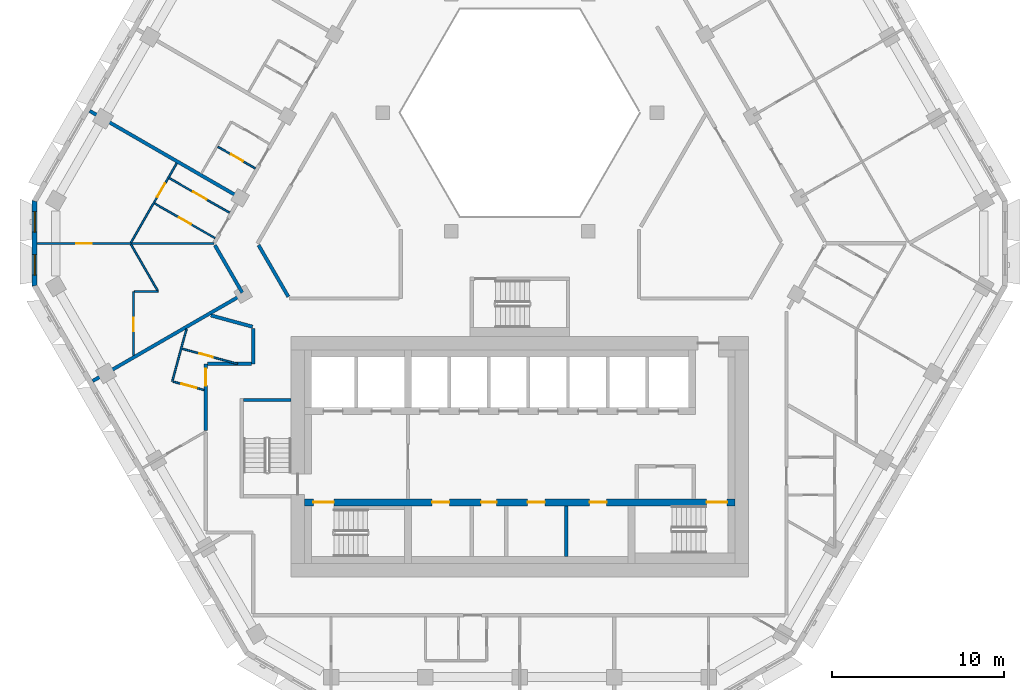
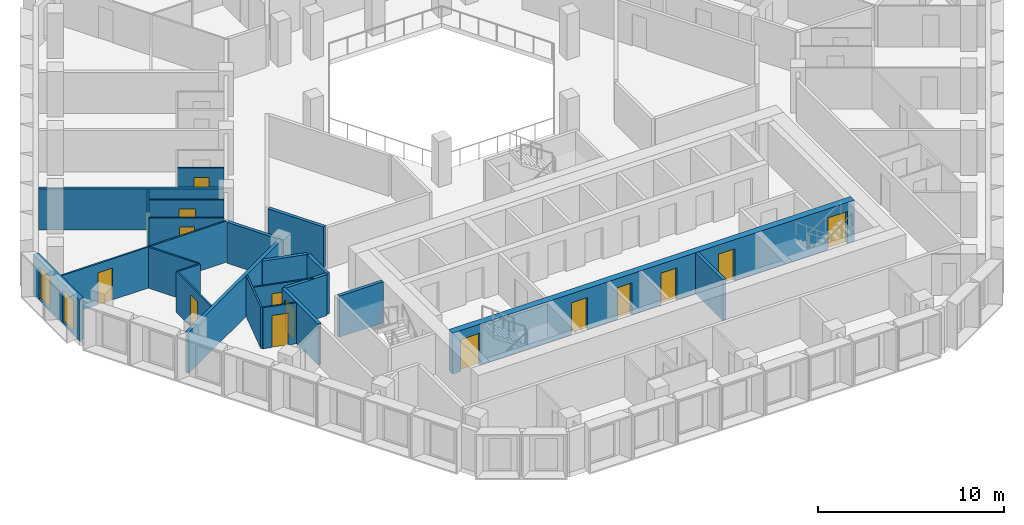
# One storey, part 4 of 17: 23 walls, 15 doors, 2 windows, 17 openings.
"""IFC4 building model written with IfcOpenShell, lengths in metres."""

from ifc_helpers import new_model, si_unit, direction, frame, frame_2d, origin, place, context, subcontext, project, spatial, polyline, rectangle, outline, extrude, material, layer, layer_set, type_object, element, fill, save


model = new_model("IFC4")

# Units and contexts
model_context = context("Model", 3, precision=1e-05, world=origin(), true_north=direction((0.0, 1.0)))
body_context = subcontext(model_context, "Body", "Model", "MODEL_VIEW")
ifc_project = project(units=[si_unit("LENGTHUNIT", "METRE"), si_unit("AREAUNIT", "SQUARE_METRE"), si_unit("VOLUMEUNIT", "CUBIC_METRE"), si_unit("PLANEANGLEUNIT", "RADIAN"), si_unit("MASSUNIT", "GRAM", prefix="KILO")], contexts=[model_context])

# Site, building, storey
site_placement = place(None, origin())
site = spatial("IfcSite", under=ifc_project, at=site_placement, CompositionType="ELEMENT")
building_placement = place(site_placement, origin())
building = spatial("IfcBuilding", under=site, at=building_placement, Name="Beryl Residences", CompositionType="ELEMENT")
storey_placement = place(building_placement, frame((0.0, 0.0, 126.60009765625)))
storey = spatial("IfcBuildingStorey", under=building, at=storey_placement, Name="L38", CompositionType="ELEMENT", Elevation=126.60009765625)

# Wall, openings, windows
ifc_material_1 = material(Name="Composite metal panel with mineral wool insulation")
ifc_layer_1 = layer(ifc_material_1, 0.300048828125)
ifc_layer_set_1 = layer_set([ifc_layer_1], Name="ES1 pale metal composite panel wall 300 mm")
wall_type_1 = type_object("IfcWallType", Name="ES1 pale metal composite panel wall 300 mm", PredefinedType="SOLIDWALL", material=ifc_layer_set_1)
wall_1_placement = place(storey_placement, frame((-28.197998046875, 2.89990234375, 0.0), z_axis=(0.0, 0.0, 1.0), x_axis=(0.0, -1.0, 0.0)))
wall_1 = element("IfcWall", 1, at=wall_1_placement, inside=storey, type_object=wall_type_1, Name="ES1 external wall L38 NW-SW", PredefinedType="SOLIDWALL", context=body_context, shape_type="SweptSolid", body=[
    extrude(outline(polyline([(0.0, -0.14990234375), (5.0, -0.14990234375), (4.919677734375, 0.14990234375), (0.080322265625, 0.14990234375), (0.0, -0.14990234375)])), origin(), (0.0, 0.0, 1.0), 2.699951171875),
])
opening_1_placement = place(wall_1_placement, frame((0.64990234375, 0.0, 0.14990234375)))
opening_1 = element("IfcOpeningElement", 2, at=opening_1_placement, cuts=wall_1, Name="Opening W2", PredefinedType="OPENING", context=body_context, shape_type="SweptSolid", body=[
    extrude(rectangle(XDim=1.199951171875, YDim=2.10009765625, at=frame_2d((0.60009765625, 1.050048828125))), frame((0.0, 0.159912109375, 0.0), z_axis=(0.0, -1.0, 0.0), x_axis=(1.0, 0.0, 0.0)), (0.0, 0.0, 1.0), 0.320068359375),
])
opening_2_placement = place(wall_1_placement, frame((3.14990234375, 0.0, 0.14990234375)))
opening_2 = element("IfcOpeningElement", 3, at=opening_2_placement, cuts=wall_1, Name="Opening W2", PredefinedType="OPENING", context=body_context, shape_type="SweptSolid", body=[
    extrude(rectangle(XDim=1.199951171875, YDim=2.10009765625, at=frame_2d((0.60009765625, 1.050048828125))), frame((0.0, 0.159912109375, 0.0), z_axis=(0.0, -1.0, 0.0), x_axis=(1.0, 0.0, 0.0)), (0.0, 0.0, 1.0), 0.320068359375),
])
ifc_material_2 = material(Name="Aluminium and clear glass", Category="aluminium")
window_type = type_object("IfcWindowType", Name="W2 chamfer window 1200 x 2100 mm", PartitioningType="SINGLE_PANEL", PredefinedType="WINDOW", material=ifc_material_2)
window_1_placement = place(opening_1_placement, origin())
window_1 = element("IfcWindow", 4, at=window_1_placement, inside=storey, type_object=window_type, Name="W2 window L38 NW-SW 1", OverallHeight=2.10009765625, OverallWidth=1.199951171875, PartitioningType="SINGLE_PANEL", PredefinedType="WINDOW", context=body_context, shape_type="SweptSolid", body=[
    extrude(rectangle(XDim=1.199951171875, YDim=2.10009765625, at=frame_2d((0.60009765625, 1.050048828125))), frame((0.0, 0.030029296875, 0.0), z_axis=(0.0, -1.0, 0.0), x_axis=(1.0, 0.0, 0.0)), (0.0, 0.0, 1.0), 0.06005859375),
])
fill(opening_1, window_1)
window_2_placement = place(opening_2_placement, origin())
window_2 = element("IfcWindow", 5, at=window_2_placement, inside=storey, type_object=window_type, Name="W2 window L38 NW-SW 2", OverallHeight=2.10009765625, OverallWidth=1.199951171875, PartitioningType="SINGLE_PANEL", PredefinedType="WINDOW", context=body_context, shape_type="SweptSolid", body=[
    extrude(rectangle(XDim=1.199951171875, YDim=2.10009765625, at=frame_2d((0.60009765625, 1.050048828125))), frame((0.0, 0.030029296875, 0.0), z_axis=(0.0, -1.0, 0.0), x_axis=(1.0, 0.0, 0.0)), (0.0, 0.0, 1.0), 0.06005859375),
])
fill(opening_2, window_2)

# Wall
ifc_material_3 = material(Name="Gypsum board partition on steel studs", Category="steel")
ifc_layer_2 = layer(ifc_material_3, 0.10009765625)
ifc_layer_set_2 = layer_set([ifc_layer_2], Name="PT1 partition 100 mm gypsum board on steel studs")
wall_type_2 = type_object("IfcWallType", Name="PT1 partition 100 mm gypsum board on steel studs", PredefinedType="PARTITIONING", material=ifc_layer_set_2)
wall_2_placement = place(storey_placement, frame((-22.60302734375, 0.34912109375, 0.0), z_axis=(0.0, 0.0, 1.0), x_axis=(0.499930403552, -0.866065581584, 0.0)))
element("IfcWall", 6, at=wall_2_placement, inside=storey, type_object=wall_type_2, Name="Wall PT1 L38 002", PredefinedType="PARTITIONING", context=body_context, shape_type="SweptSolid", body=[
    extrude(rectangle(XDim=3.11669921875, YDim=0.10009765625, at=frame_2d((1.558349609375, 0.0))), origin(), (0.0, 0.0, 1.0), 2.699951171875),
])

# Wall, opening, door
wall_3_placement = place(storey_placement, frame((-19.631103515625, -5.720947265625, 0.0), z_axis=(0.0, 0.0, 1.0), x_axis=(0.964816035809, -0.262925877475, 0.0)))
wall_3 = element("IfcWall", 7, at=wall_3_placement, inside=storey, type_object=wall_type_2, Name="Wall PT1 L38 008", PredefinedType="PARTITIONING", context=body_context, shape_type="SweptSolid", body=[
    extrude(rectangle(XDim=3.34375, YDim=0.10009765625, at=frame_2d((1.671875, 0.0))), origin(), (0.0, 0.0, 1.0), 2.699951171875),
])
opening_3_placement = place(wall_3_placement, frame((1.047119140625, 0.0, 0.0)))
opening_3 = element("IfcOpeningElement", 8, at=opening_3_placement, cuts=wall_3, Name="Opening D1028", PredefinedType="OPENING", context=body_context, shape_type="SweptSolid", body=[
    extrude(rectangle(XDim=0.800048828125, YDim=2.10009765625, at=frame_2d((0.39990234375, 1.050048828125))), frame((0.0, 0.06005859375, 0.0), z_axis=(0.0, -1.0, 0.0), x_axis=(1.0, 0.0, 0.0)), (0.0, 0.0, 1.0), 0.1201171875),
])
ifc_material_4 = material(Name="Timber door leaf", Category="wood")
door_type_1 = type_object("IfcDoorType", Name="D3 bathroom door 800 x 2100 mm", OperationType="SINGLE_SWING_LEFT", PredefinedType="DOOR", material=ifc_material_4)
door_1_placement = place(opening_3_placement, origin())
door_1 = element("IfcDoor", 9, at=door_1_placement, inside=storey, type_object=door_type_1, Name="Door D1028 L38 001", OperationType="SINGLE_SWING_RIGHT", OverallHeight=2.10009765625, OverallWidth=0.800048828125, PredefinedType="DOOR", context=body_context, shape_type="SweptSolid", body=[
    extrude(rectangle(XDim=0.800048828125, YDim=2.10009765625, at=frame_2d((0.39990234375, 1.050048828125))), frame((0.0, 0.02490234375, 0.0), z_axis=(0.0, -1.0, 0.0), x_axis=(1.0, 0.0, 0.0)), (0.0, 0.0, 1.0), 0.050048828125),
])
fill(opening_3, door_1)

wall_4_placement = place(storey_placement, frame((-20.15087890625, -7.631103515625, 0.0), z_axis=(0.0, 0.0, 1.0), x_axis=(0.964784947449, -0.263039930765, 0.0)))
wall_4 = element("IfcWall", 10, at=wall_4_placement, inside=storey, type_object=wall_type_2, Name="Wall PT1 L38 009", PredefinedType="PARTITIONING", context=body_context, shape_type="SweptSolid", body=[
    extrude(rectangle(XDim=1.866455078125, YDim=0.10009765625, at=frame_2d((0.93310546875, 0.0))), origin(), (0.0, 0.0, 1.0), 2.699951171875),
])
opening_4_placement = place(wall_4_placement, frame((0.510009765625, 0.0, 0.0)))
opening_4 = element("IfcOpeningElement", 11, at=opening_4_placement, cuts=wall_4, Name="Opening D1029", PredefinedType="OPENING", context=body_context, shape_type="SweptSolid", body=[
    extrude(rectangle(XDim=0.89990234375, YDim=2.10009765625, at=frame_2d((0.449951171875, 1.050048828125))), frame((0.0, 0.06005859375, 0.0), z_axis=(0.0, -1.0, 0.0), x_axis=(1.0, 0.0, 0.0)), (0.0, 0.0, 1.0), 0.1201171875),
])
ifc_material_5 = material(Name="Timber door leaf", Category="wood")
door_type_2 = type_object("IfcDoorType", Name="D2 room door 900 x 2100 mm", OperationType="SINGLE_SWING_LEFT", PredefinedType="DOOR", material=ifc_material_5)
door_2_placement = place(opening_4_placement, origin())
door_2 = element("IfcDoor", 12, at=door_2_placement, inside=storey, type_object=door_type_2, Name="Door D1029 L38 001", OperationType="SINGLE_SWING_LEFT", OverallHeight=2.10009765625, OverallWidth=0.89990234375, PredefinedType="DOOR", context=body_context, shape_type="SweptSolid", body=[
    extrude(rectangle(XDim=0.89990234375, YDim=2.10009765625, at=frame_2d((0.449951171875, 1.050048828125))), frame((0.0, 0.02490234375, 0.0), z_axis=(0.0, -1.0, 0.0), x_axis=(1.0, 0.0, 0.0)), (0.0, 0.0, 1.0), 0.050048828125),
])
fill(opening_4, door_2)

wall_5_placement = place(storey_placement, frame((-17.552978515625, 6.01708984375, 0.0), z_axis=(0.0, 0.0, 1.0), x_axis=(0.866038211682, -0.499977815414, 0.0)))
wall_5 = element("IfcWall", 13, at=wall_5_placement, inside=storey, type_object=wall_type_2, Name="Wall PT1 L38 010", PredefinedType="PARTITIONING", context=body_context, shape_type="SweptSolid", body=[
    extrude(rectangle(XDim=2.51025390625, YDim=0.10009765625, at=frame_2d((1.255126953125, 0.0))), origin(), (0.0, 0.0, 1.0), 2.699951171875),
])
opening_5_placement = place(wall_5_placement, frame((0.8798828125, 0.0, 0.0)))
opening_5 = element("IfcOpeningElement", 14, at=opening_5_placement, cuts=wall_5, Name="Opening D1020", PredefinedType="OPENING", context=body_context, shape_type="SweptSolid", body=[
    extrude(rectangle(XDim=0.800048828125, YDim=2.10009765625, at=frame_2d((0.39990234375, 1.050048828125))), frame((0.0, 0.06005859375, 0.0), z_axis=(0.0, -1.0, 0.0), x_axis=(1.0, 0.0, 0.0)), (0.0, 0.0, 1.0), 0.1201171875),
])
door_3_placement = place(opening_5_placement, origin())
door_3 = element("IfcDoor", 15, at=door_3_placement, inside=storey, type_object=door_type_1, Name="Door D1020 L38 001", OperationType="SINGLE_SWING_RIGHT", OverallHeight=2.10009765625, OverallWidth=0.800048828125, PredefinedType="DOOR", context=body_context, shape_type="SweptSolid", body=[
    extrude(rectangle(XDim=0.800048828125, YDim=2.10009765625, at=frame_2d((0.39990234375, 1.050048828125))), frame((0.0, 0.02490234375, 0.0), z_axis=(0.0, -1.0, 0.0), x_axis=(1.0, 0.0, 0.0)), (0.0, 0.0, 1.0), 0.050048828125),
])
fill(opening_5, door_3)

wall_6_placement = place(storey_placement, frame((-20.381103515625, 4.197998046875, 0.0), z_axis=(0.0, 0.0, 1.0), x_axis=(0.867459321792, -0.497508115549, 0.0)))
wall_6 = element("IfcWall", 16, at=wall_6_placement, inside=storey, type_object=wall_type_2, Name="Wall PT1 L38 012", PredefinedType="PARTITIONING", context=body_context, shape_type="SweptSolid", body=[
    extrude(rectangle(XDim=4.050048828125, YDim=0.10009765625, at=frame_2d((2.02490234375, 0.0))), origin(), (0.0, 0.0, 1.0), 2.699951171875),
])
opening_6_placement = place(wall_6_placement, frame((1.60009765625, 0.0, 0.0)))
opening_6 = element("IfcOpeningElement", 17, at=opening_6_placement, cuts=wall_6, Name="Opening D1022", PredefinedType="OPENING", context=body_context, shape_type="SweptSolid", body=[
    extrude(rectangle(XDim=0.89990234375, YDim=2.10009765625, at=frame_2d((0.449951171875, 1.050048828125))), frame((0.0, 0.06005859375, 0.0), z_axis=(0.0, -1.0, 0.0), x_axis=(1.0, 0.0, 0.0)), (0.0, 0.0, 1.0), 0.1201171875),
])
door_4_placement = place(opening_6_placement, origin())
door_4 = element("IfcDoor", 18, at=door_4_placement, inside=storey, type_object=door_type_2, Name="Door D1022 L38 001", OperationType="SINGLE_SWING_RIGHT", OverallHeight=2.10009765625, OverallWidth=0.89990234375, PredefinedType="DOOR", context=body_context, shape_type="SweptSolid", body=[
    extrude(rectangle(XDim=0.89990234375, YDim=2.10009765625, at=frame_2d((0.449951171875, 1.050048828125))), frame((0.0, 0.02490234375, 0.0), z_axis=(0.0, -1.0, 0.0), x_axis=(1.0, 0.0, 0.0)), (0.0, 0.0, 1.0), 0.050048828125),
])
fill(opening_6, door_4)

wall_7_placement = place(storey_placement, frame((-21.23095703125, 2.72607421875, 0.0), z_axis=(0.0, 0.0, 1.0), x_axis=(0.867314299312, -0.497760892607, 0.0)))
wall_7 = element("IfcWall", 19, at=wall_7_placement, inside=storey, type_object=wall_type_2, Name="Wall PT1 L38 013", PredefinedType="PARTITIONING", context=body_context, shape_type="SweptSolid", body=[
    extrude(rectangle(XDim=4.05029296875, YDim=0.10009765625, at=frame_2d((2.025146484375, 0.0))), origin(), (0.0, 0.0, 1.0), 2.699951171875),
])
opening_7_placement = place(wall_7_placement, frame((1.64990234375, 0.0, 0.0)))
opening_7 = element("IfcOpeningElement", 20, at=opening_7_placement, cuts=wall_7, Name="Opening D1023", PredefinedType="OPENING", context=body_context, shape_type="SweptSolid", body=[
    extrude(rectangle(XDim=0.800048828125, YDim=2.10009765625, at=frame_2d((0.39990234375, 1.050048828125))), frame((0.0, 0.06005859375, 0.0), z_axis=(0.0, -1.0, 0.0), x_axis=(1.0, 0.0, 0.0)), (0.0, 0.0, 1.0), 0.1201171875),
])
door_5_placement = place(opening_7_placement, origin())
door_5 = element("IfcDoor", 21, at=door_5_placement, inside=storey, type_object=door_type_1, Name="Door D1023 L38 001", OperationType="SINGLE_SWING_LEFT", OverallHeight=2.10009765625, OverallWidth=0.800048828125, PredefinedType="DOOR", context=body_context, shape_type="SweptSolid", body=[
    extrude(rectangle(XDim=0.800048828125, YDim=2.10009765625, at=frame_2d((0.39990234375, 1.050048828125))), frame((0.0, 0.02490234375, 0.0), z_axis=(0.0, -1.0, 0.0), x_axis=(1.0, 0.0, 0.0)), (0.0, 0.0, 1.0), 0.050048828125),
])
fill(opening_7, door_5)

# Wall
wall_8_placement = place(storey_placement, frame((-22.39990234375, -2.39990234375, 0.0), z_axis=(0.0, 0.0, 1.0), x_axis=(1.0, 0.0, 0.0)))
element("IfcWall", 22, at=wall_8_placement, inside=storey, type_object=wall_type_2, Name="Wall PT1 L38 025", PredefinedType="PARTITIONING", context=body_context, shape_type="SweptSolid", body=[
    extrude(rectangle(XDim=1.3837890625, YDim=0.10009765625, at=frame_2d((0.69189453125, 0.0))), origin(), (0.0, 0.0, 1.0), 2.699951171875),
])

# Wall, opening, door
wall_9_placement = place(storey_placement, frame((-28.048095703125, 0.39892578125, 0.0), z_axis=(0.0, 0.0, 1.0), x_axis=(1.0, 0.0, 0.0)))
wall_9 = element("IfcWall", 23, at=wall_9_placement, inside=storey, type_object=wall_type_2, Name="Wall PT1 L38 026", PredefinedType="PARTITIONING", context=body_context, shape_type="SweptSolid", body=[
    extrude(rectangle(XDim=10.26611328125, YDim=0.10009765625, at=frame_2d((5.133056640625, 0.0))), origin(), (0.0, 0.0, 1.0), 2.699951171875),
])
opening_8_placement = place(wall_9_placement, frame((2.258056640625, 0.0, 0.0)))
opening_8 = element("IfcOpeningElement", 24, at=opening_8_placement, cuts=wall_9, Name="Opening D1025", PredefinedType="OPENING", context=body_context, shape_type="SweptSolid", body=[
    extrude(rectangle(XDim=0.89990234375, YDim=2.10009765625, at=frame_2d((0.449951171875, 1.050048828125))), frame((0.0, 0.06005859375, 0.0), z_axis=(0.0, -1.0, 0.0), x_axis=(1.0, 0.0, 0.0)), (0.0, 0.0, 1.0), 0.1201171875),
])
door_6_placement = place(opening_8_placement, origin())
door_6 = element("IfcDoor", 25, at=door_6_placement, inside=storey, type_object=door_type_2, Name="Door D1025 L38 001", OperationType="SINGLE_SWING_LEFT", OverallHeight=2.10009765625, OverallWidth=0.89990234375, PredefinedType="DOOR", context=body_context, shape_type="SweptSolid", body=[
    extrude(rectangle(XDim=0.89990234375, YDim=2.10009765625, at=frame_2d((0.449951171875, 1.050048828125))), frame((0.0, 0.02490234375, 0.0), z_axis=(0.0, -1.0, 0.0), x_axis=(1.0, 0.0, 0.0)), (0.0, 0.0, 1.0), 0.050048828125),
])
fill(opening_8, door_6)

wall_10_placement = place(storey_placement, frame((-22.60302734375, 0.448974609375, 0.0), z_axis=(0.0, 0.0, 1.0), x_axis=(0.500022588228, 0.866012362072, 0.0)))
wall_10 = element("IfcWall", 26, at=wall_10_placement, inside=storey, type_object=wall_type_2, Name="Wall PT1 L38 036", PredefinedType="PARTITIONING", context=body_context, shape_type="SweptSolid", body=[
    extrude(rectangle(XDim=5.327880859375, YDim=0.10009765625, at=frame_2d((2.6640625, 0.0))), origin(), (0.0, 0.0, 1.0), 2.699951171875),
])
opening_9_placement = place(wall_10_placement, frame((3.05810546875, 0.0, 0.0)))
opening_9 = element("IfcOpeningElement", 27, at=opening_9_placement, cuts=wall_10, Name="Opening D1024", PredefinedType="OPENING", context=body_context, shape_type="SweptSolid", body=[
    extrude(rectangle(XDim=0.89990234375, YDim=2.10009765625, at=frame_2d((0.449951171875, 1.050048828125))), frame((0.0, 0.06005859375, 0.0), z_axis=(0.0, -1.0, 0.0), x_axis=(1.0, 0.0, 0.0)), (0.0, 0.0, 1.0), 0.1201171875),
])
door_7_placement = place(opening_9_placement, origin())
door_7 = element("IfcDoor", 28, at=door_7_placement, inside=storey, type_object=door_type_2, Name="Door D1024 L38 001", OperationType="SINGLE_SWING_RIGHT", OverallHeight=2.10009765625, OverallWidth=0.89990234375, PredefinedType="DOOR", context=body_context, shape_type="SweptSolid", body=[
    extrude(rectangle(XDim=0.89990234375, YDim=2.10009765625, at=frame_2d((0.449951171875, 1.050048828125))), frame((0.0, 0.02490234375, 0.0), z_axis=(0.0, -1.0, 0.0), x_axis=(1.0, 0.0, 0.0)), (0.0, 0.0, 1.0), 0.050048828125),
])
fill(opening_9, door_7)

# Wall
wall_11_placement = place(storey_placement, frame((-20.199951171875, -7.616943359375, 0.0), z_axis=(0.0, 0.0, 1.0), x_axis=(0.263150035392, 0.964754921663, 0.0)))
element("IfcWall", 29, at=wall_11_placement, inside=storey, type_object=wall_type_2, Name="Wall PT1 L38 039", PredefinedType="PARTITIONING", context=body_context, shape_type="SweptSolid", body=[
    extrude(rectangle(XDim=3.16552734375, YDim=0.10009765625, at=frame_2d((1.582763671875, 0.0))), origin(), (0.0, 0.0, 1.0), 2.699951171875),
])

# Wall, opening, door
wall_12_placement = place(storey_placement, frame((-22.449951171875, -6.112060546875, 0.0), z_axis=(0.0, 0.0, 1.0), x_axis=(0.0, 1.0, 0.0)))
wall_12 = element("IfcWall", 30, at=wall_12_placement, inside=storey, type_object=wall_type_2, Name="Wall PT1 L38 049", PredefinedType="PARTITIONING", context=body_context, shape_type="SweptSolid", body=[
    extrude(rectangle(XDim=3.712158203125, YDim=0.10009765625, at=frame_2d((1.85595703125, 0.0))), origin(), (0.0, 0.0, 1.0), 2.699951171875),
])
opening_10_placement = place(wall_12_placement, frame((1.39794921875, 0.0, 0.0)))
opening_10 = element("IfcOpeningElement", 31, at=opening_10_placement, cuts=wall_12, Name="Opening D1026", PredefinedType="OPENING", context=body_context, shape_type="SweptSolid", body=[
    extrude(rectangle(XDim=0.800048828125, YDim=2.10009765625, at=frame_2d((0.39990234375, 1.050048828125))), frame((0.0, 0.06005859375, 0.0), z_axis=(0.0, -1.0, 0.0), x_axis=(1.0, 0.0, 0.0)), (0.0, 0.0, 1.0), 0.1201171875),
])
door_8_placement = place(opening_10_placement, origin())
door_8 = element("IfcDoor", 32, at=door_8_placement, inside=storey, type_object=door_type_1, Name="Door D1026 L38 001", OperationType="SINGLE_SWING_RIGHT", OverallHeight=2.10009765625, OverallWidth=0.800048828125, PredefinedType="DOOR", context=body_context, shape_type="SweptSolid", body=[
    extrude(rectangle(XDim=0.800048828125, YDim=2.10009765625, at=frame_2d((0.39990234375, 1.050048828125))), frame((0.0, 0.02490234375, 0.0), z_axis=(0.0, -1.0, 0.0), x_axis=(1.0, 0.0, 0.0)), (0.0, 0.0, 1.0), 0.050048828125),
])
fill(opening_10, door_8)

# Walls
ifc_material_6 = material(Name="Acoustic double stud gypsum board wall")
ifc_layer_3 = layer(ifc_material_6, 0.199951171875)
ifc_layer_set_3 = layer_set([ifc_layer_3], Name="PT3 party wall 200 mm acoustic double stud")
wall_type_3 = type_object("IfcWallType", Name="PT3 party wall 200 mm acoustic double stud", PredefinedType="PARTITIONING", material=ifc_layer_set_3)
wall_13_placement = place(storey_placement, frame((-17.9560546875, -3.782958984375, 0.0), z_axis=(0.0, 0.0, 1.0), x_axis=(0.964815336827, -0.2629284424, 0.0)))
element("IfcWall", 33, at=wall_13_placement, inside=storey, type_object=wall_type_3, Name="Wall PT3 L38 001", PredefinedType="PARTITIONING", context=body_context, shape_type="SweptSolid", body=[
    extrude(rectangle(XDim=2.514404296875, YDim=0.199951171875, at=frame_2d((1.25732421875, 0.0))), origin(), (0.0, 0.0, 1.0), 2.699951171875),
])
wall_14_placement = place(storey_placement, frame((-24.9990234375, 8.10009765625, 0.0), z_axis=(0.0, 0.0, 1.0), x_axis=(0.866016855193, -0.500014806302, 0.0)))
element("IfcWall", 34, at=wall_14_placement, inside=storey, type_object=wall_type_3, Name="Wall PT3 L38 002", PredefinedType="PARTITIONING", context=body_context, shape_type="SweptSolid", body=[
    extrude(rectangle(XDim=9.999755859375, YDim=0.199951171875, at=frame_2d((5.0, 0.0))), origin(), (0.0, 0.0, 1.0), 2.699951171875),
])
wall_15_placement = place(storey_placement, frame((-24.825927734375, -7.59912109375, 0.0), z_axis=(0.0, 0.0, 1.0), x_axis=(0.86599621094, 0.500050560081, 0.0)))
element("IfcWall", 35, at=wall_15_placement, inside=storey, type_object=wall_type_3, Name="Wall PT3 L38 013", PredefinedType="PARTITIONING", context=body_context, shape_type="SweptSolid", body=[
    extrude(rectangle(XDim=10.0693359375, YDim=0.199951171875, at=frame_2d((5.03466796875, 0.0))), origin(), (0.0, 0.0, 1.0), 2.699951171875),
])
ifc_material_7 = material(Name="Double stud gypsum board wall")
ifc_layer_4 = layer(ifc_material_7, 0.199951171875)
ifc_layer_set_4 = layer_set([ifc_layer_4], Name="PT4 corridor wall 200 mm double stud")
wall_type_4 = type_object("IfcWallType", Name="PT4 corridor wall 200 mm double stud", PredefinedType="PARTITIONING", material=ifc_layer_set_4)
wall_16_placement = place(storey_placement, frame((-15.18408203125, 0.299072265625, 0.0), z_axis=(0.0, 0.0, 1.0), x_axis=(0.500149577091, -0.865939028186, 0.0)))
element("IfcWall", 36, at=wall_16_placement, inside=storey, type_object=wall_type_4, Name="Wall PT4 L38 002", PredefinedType="PARTITIONING", context=body_context, shape_type="SweptSolid", body=[
    extrude(rectangle(XDim=3.46337890625, YDim=0.199951171875, at=frame_2d((1.731689453125, 0.0))), origin(), (0.0, 0.0, 1.0), 2.699951171875),
])
wall_17_placement = place(storey_placement, frame((-17.72412109375, 0.299072265625, 0.0), z_axis=(0.0, 0.0, 1.0), x_axis=(0.499910220442, -0.866077231832, 0.0)))
element("IfcWall", 37, at=wall_17_placement, inside=storey, type_object=wall_type_4, Name="Wall PT4 L38 003", PredefinedType="PARTITIONING", context=body_context, shape_type="SweptSolid", body=[
    extrude(rectangle(XDim=3.18896484375, YDim=0.199951171875, at=frame_2d((1.594482421875, 0.0))), origin(), (0.0, 0.0, 1.0), 2.699951171875),
])
wall_18_placement = place(storey_placement, frame((-18.14990234375, -6.60009765625, 0.0), z_axis=(0.0, 0.0, 1.0), x_axis=(1.0, 0.0, 0.0)))
element("IfcWall", 38, at=wall_18_placement, inside=storey, type_object=wall_type_4, Name="Wall PT4 L38 009", PredefinedType="PARTITIONING", context=body_context, shape_type="SweptSolid", body=[
    extrude(rectangle(XDim=2.5498046875, YDim=0.199951171875, at=frame_2d((1.27490234375, 0.0))), origin(), (0.0, 0.0, 1.0), 2.699951171875),
])
wall_19_placement = place(storey_placement, frame((-15.5, -6.60009765625, 0.0), z_axis=(0.0, 0.0, 1.0), x_axis=(0.0, 1.0, 0.0)))
element("IfcWall", 39, at=wall_19_placement, inside=storey, type_object=wall_type_4, Name="Wall PT4 L38 026", PredefinedType="PARTITIONING", context=body_context, shape_type="SweptSolid", body=[
    extrude(rectangle(XDim=2.044189453125, YDim=0.199951171875, at=frame_2d((1.02197265625, 0.0))), origin(), (0.0, 0.0, 1.0), 2.699951171875),
])

# Wall, opening, door
wall_20_placement = place(storey_placement, frame((-18.25, -10.47802734375, 0.0), z_axis=(0.0, 0.0, 1.0), x_axis=(0.0, 1.0, 0.0)))
wall_20 = element("IfcWall", 40, at=wall_20_placement, inside=storey, type_object=wall_type_4, Name="Wall PT4 L38 027", PredefinedType="PARTITIONING", context=body_context, shape_type="SweptSolid", body=[
    extrude(rectangle(XDim=3.8779296875, YDim=0.199951171875, at=frame_2d((1.93896484375, 0.0))), origin(), (0.0, 0.0, 1.0), 2.699951171875),
])
opening_11_placement = place(wall_20_placement, frame((2.60791015625, 0.0, 0.0)))
opening_11 = element("IfcOpeningElement", 41, at=opening_11_placement, cuts=wall_20, Name="Opening D1027", PredefinedType="OPENING", context=body_context, shape_type="SweptSolid", body=[
    extrude(rectangle(XDim=1.0, YDim=2.10009765625, at=frame_2d((0.5, 1.050048828125))), frame((0.0, 0.10986328125, 0.0), z_axis=(0.0, -1.0, 0.0), x_axis=(1.0, 0.0, 0.0)), (0.0, 0.0, 1.0), 0.219970703125),
])
ifc_material_8 = material(Name="Timber door leaf", Category="wood")
door_type_3 = type_object("IfcDoorType", Name="D1 flat entrance door 1000 x 2100 mm", OperationType="SINGLE_SWING_LEFT", PredefinedType="DOOR", material=ifc_material_8)
door_9_placement = place(opening_11_placement, origin())
door_9 = element("IfcDoor", 42, at=door_9_placement, inside=storey, type_object=door_type_3, Name="Door D1027 L38 001", OperationType="SINGLE_SWING_LEFT", OverallHeight=2.10009765625, OverallWidth=1.0, PredefinedType="DOOR", context=body_context, shape_type="SweptSolid", body=[
    extrude(rectangle(XDim=1.0, YDim=2.10009765625, at=frame_2d((0.5, 1.050048828125))), frame((0.0, 0.02490234375, 0.0), z_axis=(0.0, -1.0, 0.0), x_axis=(1.0, 0.0, 0.0)), (0.0, 0.0, 1.0), 0.050048828125),
])
fill(opening_11, door_9)

# Walls
ifc_material_9 = material(Name="Concrete C40/50", Category="concrete")
ifc_layer_5 = layer(ifc_material_9, 0.199951171875)
ifc_layer_set_5 = layer_set([ifc_layer_5], Name="PT5 stair enclosure wall 200 mm reinforced concrete C40/50")
wall_type_5 = type_object("IfcWallType", Name="PT5 stair enclosure wall 200 mm reinforced concrete C40/50", PredefinedType="SOLIDWALL", material=ifc_layer_set_5)
wall_21_placement = place(storey_placement, frame((-16.050048828125, -8.699951171875, 0.0), z_axis=(0.0, 0.0, 1.0), x_axis=(1.0, 0.0, 0.0)))
element("IfcWall", 43, at=wall_21_placement, inside=storey, type_object=wall_type_5, Name="Stair wall 03", PredefinedType="SOLIDWALL", context=body_context, shape_type="SweptSolid", body=[
    extrude(rectangle(XDim=2.75, YDim=0.199951171875, at=frame_2d((1.375, 0.0))), origin(), (0.0, 0.0, 1.0), 2.699951171875),
])
ifc_material_10 = material(Name="Concrete masonry", Category="masonry")
ifc_layer_6 = layer(ifc_material_10, 0.199951171875)
ifc_layer_set_6 = layer_set([ifc_layer_6], Name="PT8-200 service room wall 200 mm")
wall_type_6 = type_object("IfcWallType", Name="PT8-200 service room wall 200 mm", PredefinedType="PARTITIONING", material=ifc_layer_set_6)
wall_22_placement = place(storey_placement, frame((2.699951171875, -17.800048828125, 0.0), z_axis=(0.0, 0.0, 1.0), x_axis=(0.0, 1.0, 0.0)))
element("IfcWall", 44, at=wall_22_placement, inside=storey, type_object=wall_type_6, Name="Core room wall 19", PredefinedType="PARTITIONING", context=body_context, shape_type="SweptSolid", body=[
    extrude(rectangle(XDim=2.949951171875, YDim=0.199951171875, at=frame_2d((1.47509765625, 0.0))), origin(), (0.0, 0.0, 1.0), 2.699951171875),
])

# Wall, openings, doors
ifc_material_11 = material(Name="Concrete C60/75", Category="concrete")
ifc_layer_7 = layer(ifc_material_11, 0.39990234375)
ifc_layer_set_7 = layer_set([ifc_layer_7], Name="SW8 core internal wall 400 mm C60/75")
wall_type_7 = type_object("IfcWallType", Name="SW8 core internal wall 400 mm C60/75", PredefinedType="SHEAR", material=ifc_layer_set_7)
wall_23_placement = place(storey_placement, frame((-12.5, -14.64990234375, 0.0), z_axis=(0.0, 0.0, 1.0), x_axis=(1.0, 0.0, 0.0)))
wall_23 = element("IfcWall", 45, at=wall_23_placement, inside=storey, type_object=wall_type_7, Name="Core wall SP1 L38", PredefinedType="SHEAR", context=body_context, shape_type="SweptSolid", body=[
    extrude(rectangle(XDim=25.0, YDim=0.39990234375, at=frame_2d((12.5, 0.0))), origin(), (0.0, 0.0, 1.0), 2.699951171875),
])
opening_12_placement = place(wall_23_placement, frame((1.699951171875, 0.0, 0.0), z_axis=(0.0, 0.0, 1.0), x_axis=(-1.0, 0.0, 0.0)))
opening_12 = element("IfcOpeningElement", 46, at=opening_12_placement, cuts=wall_23, Name="Opening SD-1", PredefinedType="OPENING", context=body_context, shape_type="SweptSolid", body=[
    extrude(rectangle(XDim=1.199951171875, YDim=2.10009765625, at=frame_2d((0.60009765625, 1.050048828125))), frame((0.0, 0.2099609375, 0.0), z_axis=(0.0, -1.0, 0.0), x_axis=(1.0, 0.0, 0.0)), (0.0, 0.0, 1.0), 0.419921875),
])
opening_13_placement = place(wall_23_placement, frame((24.550048828125, 0.0, 0.0), z_axis=(0.0, 0.0, 1.0), x_axis=(-1.0, 0.0, 0.0)))
opening_13 = element("IfcOpeningElement", 47, at=opening_13_placement, cuts=wall_23, Name="Opening SD-3", PredefinedType="OPENING", context=body_context, shape_type="SweptSolid", body=[
    extrude(rectangle(XDim=1.199951171875, YDim=2.10009765625, at=frame_2d((0.60009765625, 1.050048828125))), frame((0.0, 0.2099609375, 0.0), z_axis=(0.0, -1.0, 0.0), x_axis=(1.0, 0.0, 0.0)), (0.0, 0.0, 1.0), 0.419921875),
])
opening_14_placement = place(wall_23_placement, frame((8.39990234375, 0.0, 0.0), z_axis=(0.0, 0.0, 1.0), x_axis=(-1.0, 0.0, 0.0)))
opening_14 = element("IfcOpeningElement", 48, at=opening_14_placement, cuts=wall_23, Name="Opening CD-D-S1", PredefinedType="OPENING", context=body_context, shape_type="SweptSolid", body=[
    extrude(rectangle(XDim=1.0, YDim=2.10009765625, at=frame_2d((0.5, 1.050048828125))), frame((0.0, 0.2099609375, 0.0), z_axis=(0.0, -1.0, 0.0), x_axis=(1.0, 0.0, 0.0)), (0.0, 0.0, 1.0), 0.419921875),
])
opening_15_placement = place(wall_23_placement, frame((11.14990234375, 0.0, 0.0), z_axis=(0.0, 0.0, 1.0), x_axis=(-1.0, 0.0, 0.0)))
opening_15 = element("IfcOpeningElement", 49, at=opening_15_placement, cuts=wall_23, Name="Opening CD-D-S2-900", PredefinedType="OPENING", context=body_context, shape_type="SweptSolid", body=[
    extrude(rectangle(XDim=0.89990234375, YDim=2.10009765625, at=frame_2d((0.449951171875, 1.050048828125))), frame((0.0, 0.2099609375, 0.0), z_axis=(0.0, -1.0, 0.0), x_axis=(1.0, 0.0, 0.0)), (0.0, 0.0, 1.0), 0.419921875),
])
opening_16_placement = place(wall_23_placement, frame((13.949951171875, 0.0, 0.0), z_axis=(0.0, 0.0, 1.0), x_axis=(-1.0, 0.0, 0.0)))
opening_16 = element("IfcOpeningElement", 50, at=opening_16_placement, cuts=wall_23, Name="Opening CD-D-S3", PredefinedType="OPENING", context=body_context, shape_type="SweptSolid", body=[
    extrude(rectangle(XDim=1.0, YDim=2.10009765625, at=frame_2d((0.5, 1.050048828125))), frame((0.0, 0.2099609375, 0.0), z_axis=(0.0, -1.0, 0.0), x_axis=(1.0, 0.0, 0.0)), (0.0, 0.0, 1.0), 0.419921875),
])
opening_17_placement = place(wall_23_placement, frame((17.550048828125, 0.0, 0.0), z_axis=(0.0, 0.0, 1.0), x_axis=(-1.0, 0.0, 0.0)))
opening_17 = element("IfcOpeningElement", 51, at=opening_17_placement, cuts=wall_23, Name="Opening CD-D-S4", PredefinedType="OPENING", context=body_context, shape_type="SweptSolid", body=[
    extrude(rectangle(XDim=1.0, YDim=2.10009765625, at=frame_2d((0.5, 1.050048828125))), frame((0.0, 0.2099609375, 0.0), z_axis=(0.0, -1.0, 0.0), x_axis=(1.0, 0.0, 0.0)), (0.0, 0.0, 1.0), 0.419921875),
])
ifc_material_12 = material(Name="Steel door leaf in steel frame", Category="steel")
door_type_4 = type_object("IfcDoorType", Name="D18 service room door 1000 x 2100 mm", OperationType="SINGLE_SWING_LEFT", PredefinedType="DOOR", material=ifc_material_12)
door_10_placement = place(opening_14_placement, origin())
door_10 = element("IfcDoor", 52, at=door_10_placement, inside=storey, type_object=door_type_4, Name="Door CD-D-S1 L38 001", OperationType="SINGLE_SWING_RIGHT", OverallHeight=2.10009765625, OverallWidth=1.0, PredefinedType="DOOR", context=body_context, shape_type="SweptSolid", body=[
    extrude(rectangle(XDim=1.0, YDim=2.10009765625, at=frame_2d((0.5, 1.050048828125))), frame((0.0, 0.02490234375, 0.0), z_axis=(0.0, -1.0, 0.0), x_axis=(1.0, 0.0, 0.0)), (0.0, 0.0, 1.0), 0.050048828125),
])
fill(opening_14, door_10)
door_11_placement = place(opening_16_placement, origin())
door_11 = element("IfcDoor", 53, at=door_11_placement, inside=storey, type_object=door_type_4, Name="Door CD-D-S3 L38 001", OperationType="SINGLE_SWING_RIGHT", OverallHeight=2.10009765625, OverallWidth=1.0, PredefinedType="DOOR", context=body_context, shape_type="SweptSolid", body=[
    extrude(rectangle(XDim=1.0, YDim=2.10009765625, at=frame_2d((0.5, 1.050048828125))), frame((0.0, 0.02490234375, 0.0), z_axis=(0.0, -1.0, 0.0), x_axis=(1.0, 0.0, 0.0)), (0.0, 0.0, 1.0), 0.050048828125),
])
fill(opening_16, door_11)
door_12_placement = place(opening_17_placement, origin())
door_12 = element("IfcDoor", 54, at=door_12_placement, inside=storey, type_object=door_type_4, Name="Door CD-D-S4 L38 001", OperationType="SINGLE_SWING_LEFT", OverallHeight=2.10009765625, OverallWidth=1.0, PredefinedType="DOOR", context=body_context, shape_type="SweptSolid", body=[
    extrude(rectangle(XDim=1.0, YDim=2.10009765625, at=frame_2d((0.5, 1.050048828125))), frame((0.0, 0.02490234375, 0.0), z_axis=(0.0, -1.0, 0.0), x_axis=(1.0, 0.0, 0.0)), (0.0, 0.0, 1.0), 0.050048828125),
])
fill(opening_17, door_12)
ifc_material_13 = material(Name="Steel door leaf in steel frame", Category="steel")
door_type_5 = type_object("IfcDoorType", Name="D4 stair door 1200 x 2100 mm", OperationType="SINGLE_SWING_LEFT", PredefinedType="DOOR", material=ifc_material_13)
door_13_placement = place(opening_12_placement, origin())
door_13 = element("IfcDoor", 55, at=door_13_placement, inside=storey, type_object=door_type_5, Name="Door SD-1 L38 001", OperationType="SINGLE_SWING_RIGHT", OverallHeight=2.10009765625, OverallWidth=1.199951171875, PredefinedType="DOOR", context=body_context, shape_type="SweptSolid", body=[
    extrude(rectangle(XDim=1.199951171875, YDim=2.10009765625, at=frame_2d((0.60009765625, 1.050048828125))), frame((0.0, 0.02490234375, 0.0), z_axis=(0.0, -1.0, 0.0), x_axis=(1.0, 0.0, 0.0)), (0.0, 0.0, 1.0), 0.050048828125),
])
fill(opening_12, door_13)
door_14_placement = place(opening_13_placement, origin())
door_14 = element("IfcDoor", 56, at=door_14_placement, inside=storey, type_object=door_type_5, Name="Door SD-3 L38 001", OperationType="SINGLE_SWING_RIGHT", OverallHeight=2.10009765625, OverallWidth=1.199951171875, PredefinedType="DOOR", context=body_context, shape_type="SweptSolid", body=[
    extrude(rectangle(XDim=1.199951171875, YDim=2.10009765625, at=frame_2d((0.60009765625, 1.050048828125))), frame((0.0, 0.02490234375, 0.0), z_axis=(0.0, -1.0, 0.0), x_axis=(1.0, 0.0, 0.0)), (0.0, 0.0, 1.0), 0.050048828125),
])
fill(opening_13, door_14)
ifc_material_14 = material(Name="Steel door leaf in steel frame", Category="steel")
door_type_6 = type_object("IfcDoorType", Name="D6 service room door 900 x 2100 mm", OperationType="SINGLE_SWING_LEFT", PredefinedType="DOOR", material=ifc_material_14)
door_15_placement = place(opening_15_placement, origin())
door_15 = element("IfcDoor", 57, at=door_15_placement, inside=storey, type_object=door_type_6, Name="Door CD-D-S2-900 L38 001", OperationType="SINGLE_SWING_LEFT", OverallHeight=2.10009765625, OverallWidth=0.89990234375, PredefinedType="DOOR", context=body_context, shape_type="SweptSolid", body=[
    extrude(rectangle(XDim=0.89990234375, YDim=2.10009765625, at=frame_2d((0.449951171875, 1.050048828125))), frame((0.0, 0.02490234375, 0.0), z_axis=(0.0, -1.0, 0.0), x_axis=(1.0, 0.0, 0.0)), (0.0, 0.0, 1.0), 0.050048828125),
])
fill(opening_15, door_15)

save(model, "model.ifc")
